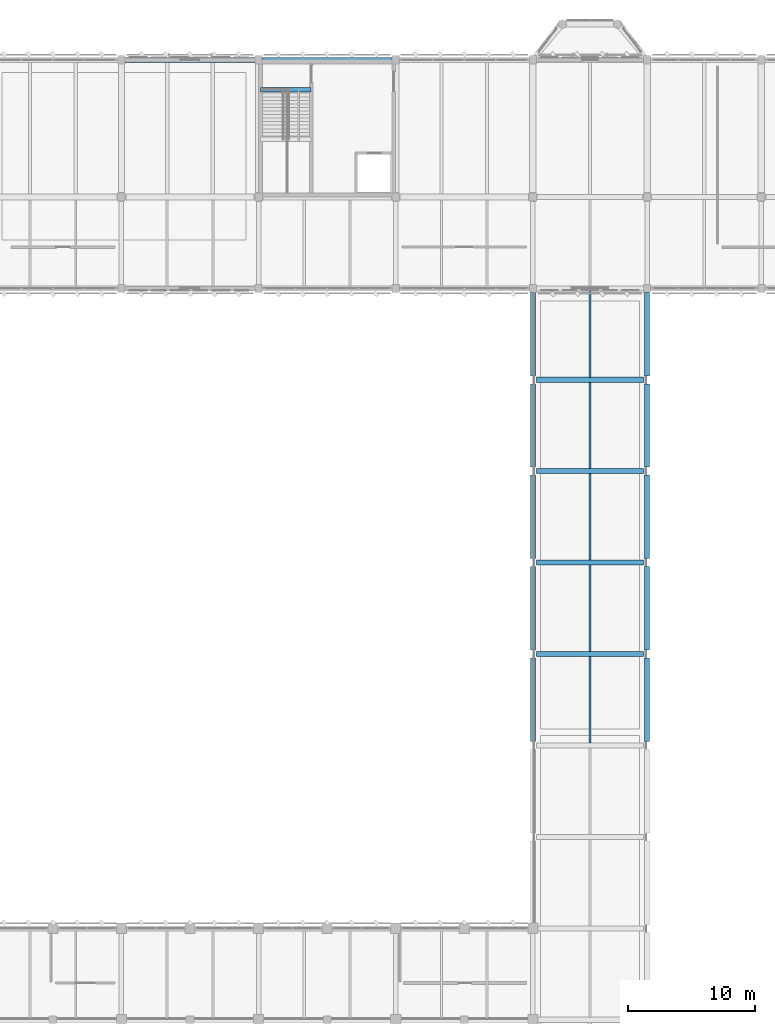
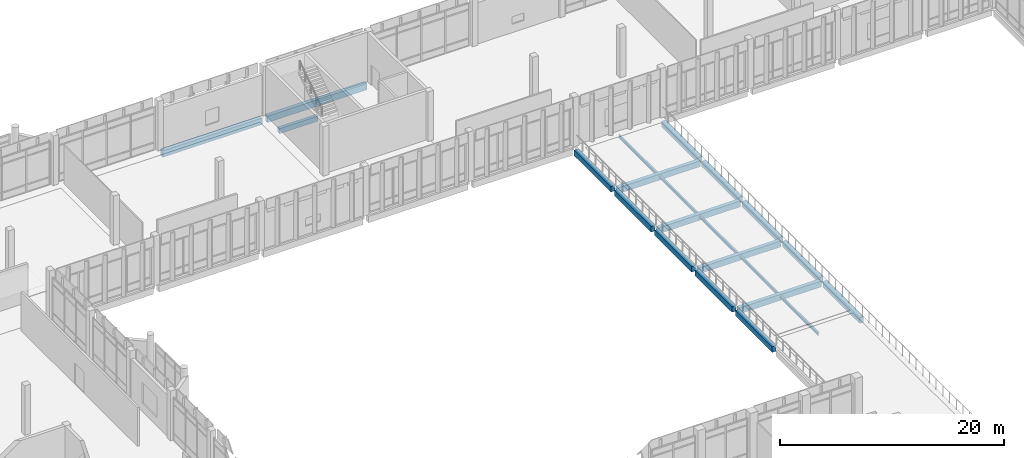
# One storey, part 77 of 180: 22 beams.
"""IFC4 building model written with IfcOpenShell, lengths in metres."""

from ifc_helpers import new_model, si_unit, direction, frame, origin, origin_2d, place, context, subcontext, project, spatial, rectangle, i_section, extrude, material, material_profile, profile_set, type_object, element, save


model = new_model("IFC4")

# Units and contexts
model_context = context("Model", 3, precision=1e-05, world=origin(), true_north=direction((0.0, 1.0)))
body_context = subcontext(model_context, "Body", "Model", "MODEL_VIEW")
ifc_project = project(units=[si_unit("LENGTHUNIT", "METRE"), si_unit("AREAUNIT", "SQUARE_METRE"), si_unit("VOLUMEUNIT", "CUBIC_METRE"), si_unit("PLANEANGLEUNIT", "RADIAN"), si_unit("MASSUNIT", "GRAM", prefix="KILO")], contexts=[model_context])

# Site, building, storey
site_placement = place(None, origin())
site = spatial("IfcSite", under=ifc_project, at=site_placement, CompositionType="ELEMENT")
building_placement = place(site_placement, origin())
building = spatial("IfcBuilding", under=site, at=building_placement, Name="Lusvemor Sports Hall", CompositionType="ELEMENT")
storey_placement = place(building_placement, frame((0.0, 0.0, 5.39990234375)))
storey = spatial("IfcBuildingStorey", under=building, at=storey_placement, Name="L01", CompositionType="ELEMENT", Elevation=5.39990234375)

# Beams
ifc_material_1 = material(Name="Concrete C40/50", Category="concrete")
ifc_material_profile_1 = material_profile(ifc_material_1, rectangle(XDim=0.35009765625, YDim=0.550048828125, at=origin_2d()), Name="RC350x550")
ifc_profile_set_1 = profile_set([ifc_material_profile_1], Name="Concrete C40/50")
beam_type_1 = type_object("IfcBeamType", Name="BEAM_RC_550", PredefinedType="BEAM", material=ifc_profile_set_1)
beam_placement = place(storey_placement, frame((54.159912109375, 112.85009765625, -0.454833984375), z_axis=(1.0, 0.0, 0.0), x_axis=(0.0, 1.0, 0.0)))
element("IfcBeam", 1, at=beam_placement, inside=storey, type_object=beam_type_1, Name="Stair STR-C2-L00 Top-Landing Beam", PredefinedType="BEAM", context=body_context, shape_type="SweptSolid", body=[
    extrude(rectangle(XDim=0.35009765625, YDim=0.550048828125, at=origin_2d()), origin(), (0.0, 0.0, 1.0), 3.97998046875),
])
ifc_material_2 = material(Name="Concrete C40/50", Category="concrete")
ifc_material_profile_2 = material_profile(ifc_material_2, rectangle(XDim=0.39990234375, YDim=0.64990234375, at=origin_2d()), Name="RC400x650")
ifc_profile_set_2 = profile_set([ifc_material_profile_2], Name="Concrete C40/50")
beam_type_2 = type_object("IfcBeamType", Name="BEAM_RC_650", PredefinedType="BEAM", material=ifc_profile_set_2)
for number, where, z_axis, x_axis, name in (
    (2, (75.8759765625, 68.39990234375, -0.664794921875), (1.0, 0.0, 0.0), (0.0, 1.0, 0.0), "Beam L01 J:8-9"),
    (3, (75.8759765625, 75.60009765625, -0.664794921875), (1.0, 0.0, 0.0), (0.0, 1.0, 0.0), "Beam L01 K:8-9"),
    (4, (75.8759765625, 82.800048828125, -0.664794921875), (1.0, 0.0, 0.0), (0.0, 1.0, 0.0), "Beam L01 L:8-9"),
    (5, (75.8759765625, 90.0, -0.664794921875), (1.0, 0.0, 0.0), (0.0, 1.0, 0.0), "Beam L01 M:8-9"),
):
    element("IfcBeam", number, at=place(storey_placement, frame(where, z_axis=z_axis, x_axis=x_axis)), inside=storey, type_object=beam_type_2, Name=name, PredefinedType="BEAM", context=body_context, shape_type="SweptSolid", body=[
        extrude(rectangle(XDim=0.39990234375, YDim=0.64990234375, at=origin_2d()), origin(), (0.0, 0.0, 1.0), 8.447998046875),
    ])
ifc_material_3 = material(Name="Steel S355", Category="steel")
ifc_material_profile_3 = material_profile(ifc_material_3, i_section(OverallWidth=0.1669921875, OverallDepth=0.31689453125, WebThickness=0.007568359375, FlangeThickness=0.01318359375, FilletRadius=0.014892578125, at=origin_2d()), Name="W310x52.0")
ifc_profile_set_3 = profile_set([ifc_material_profile_3], Name="Steel S355")
beam_type_3 = type_object("IfcBeamType", Name="JOIST_ST_310M", PredefinedType="JOIST", material=ifc_profile_set_3)
for number, where, z_axis, x_axis, name in (
    (6, (80.10009765625, 61.39599609375, -0.50244140625), (0.0, 1.0, 0.0), (-1.0, 0.0, 0.0), "Secondary Joist L01 8-9/H-J #1"),
    (7, (80.10009765625, 68.595947265625, -0.50244140625), (0.0, 1.0, 0.0), (-1.0, 0.0, 0.0), "Secondary Joist L01 8-9/J-K #1"),
    (8, (80.10009765625, 75.7958984375, -0.50244140625), (0.0, 1.0, 0.0), (-1.0, 0.0, 0.0), "Secondary Joist L01 8-9/K-L #1"),
):
    element("IfcBeam", number, at=place(storey_placement, frame(where, z_axis=z_axis, x_axis=x_axis)), inside=storey, type_object=beam_type_3, Name=name, PredefinedType="JOIST", context=body_context, shape_type="SweptSolid", body=[
        extrude(i_section(OverallWidth=0.1669921875, OverallDepth=0.31689453125, WebThickness=0.007568359375, FlangeThickness=0.01318359375, FilletRadius=0.014892578125, at=origin_2d()), origin(), (0.0, 0.0, 1.0), 6.80810546875),
    ])
for number, where, z_axis, x_axis, name in (
    (9, (80.10009765625, 82.99609375, -0.50244140625), (0.0, 1.0, 0.0), (-1.0, 0.0, 0.0), "Secondary Joist L01 8-9/L-M #1"),
    (10, (80.10009765625, 90.196044921875, -0.50244140625), (0.0, 1.0, 0.0), (-1.0, 0.0, 0.0), "Secondary Joist L01 8-9/M-N #1"),
):
    element("IfcBeam", number, at=place(storey_placement, frame(where, z_axis=z_axis, x_axis=x_axis)), inside=storey, type_object=beam_type_3, Name=name, PredefinedType="JOIST", context=body_context, shape_type="SweptSolid", body=[
        extrude(i_section(OverallWidth=0.1669921875, OverallDepth=0.31689453125, WebThickness=0.007568359375, FlangeThickness=0.01318359375, FilletRadius=0.014892578125, at=origin_2d()), origin(), (0.0, 0.0, 1.0), 6.807861328125),
    ])
ifc_material_4 = material(Name="Concrete C40/50", Category="concrete")
ifc_material_profile_4 = material_profile(ifc_material_4, rectangle(XDim=0.39990234375, YDim=0.610107421875, at=origin_2d()), Name="RC400x610")
ifc_profile_set_4 = profile_set([ifc_material_profile_4], Name="Concrete C40/50")
beam_type_4 = type_object("IfcBeamType", Name="SPAND_EXT_650", PredefinedType="SPANDREL", material=ifc_profile_set_4)
for number, where, z_axis, x_axis, name in (
    (11, (75.60009765625, 61.51611328125, -0.64501953125), (0.0, 1.0, 0.0), (-1.0, 0.0, 0.0), "Beam L01 8:H-J"),
    (12, (75.60009765625, 68.716064453125, -0.64501953125), (0.0, 1.0, 0.0), (-1.0, 0.0, 0.0), "Beam L01 8:J-K"),
    (13, (75.60009765625, 75.916015625, -0.64501953125), (0.0, 1.0, 0.0), (-1.0, 0.0, 0.0), "Beam L01 8:K-L"),
):
    element("IfcBeam", number, at=place(storey_placement, frame(where, z_axis=z_axis, x_axis=x_axis)), inside=storey, type_object=beam_type_4, Name=name, PredefinedType="SPANDREL", context=body_context, shape_type="SweptSolid", body=[
        extrude(rectangle(XDim=0.39990234375, YDim=0.610107421875, at=origin_2d()), origin(), (0.0, 0.0, 1.0), 6.56787109375),
    ])
for number, where, z_axis, x_axis, name in (
    (14, (75.60009765625, 83.115966796875, -0.64501953125), (0.0, 1.0, 0.0), (-1.0, 0.0, 0.0), "Beam L01 8:L-M"),
    (15, (75.60009765625, 90.31591796875, -0.64501953125), (0.0, 1.0, 0.0), (-1.0, 0.0, 0.0), "Beam L01 8:M-N"),
):
    element("IfcBeam", number, at=place(storey_placement, frame(where, z_axis=z_axis, x_axis=x_axis)), inside=storey, type_object=beam_type_4, Name=name, PredefinedType="SPANDREL", context=body_context, shape_type="SweptSolid", body=[
        extrude(rectangle(XDim=0.39990234375, YDim=0.610107421875, at=origin_2d()), origin(), (0.0, 0.0, 1.0), 6.568115234375),
    ])
for number, where, z_axis, x_axis, name in (
    (16, (84.60009765625, 61.51611328125, -0.64501953125), (0.0, 1.0, 0.0), (-1.0, 0.0, 0.0), "Beam L01 9:H-J"),
    (17, (84.60009765625, 68.716064453125, -0.64501953125), (0.0, 1.0, 0.0), (-1.0, 0.0, 0.0), "Beam L01 9:J-K"),
    (18, (84.60009765625, 75.916015625, -0.64501953125), (0.0, 1.0, 0.0), (-1.0, 0.0, 0.0), "Beam L01 9:K-L"),
):
    element("IfcBeam", number, at=place(storey_placement, frame(where, z_axis=z_axis, x_axis=x_axis)), inside=storey, type_object=beam_type_4, Name=name, PredefinedType="SPANDREL", context=body_context, shape_type="SweptSolid", body=[
        extrude(rectangle(XDim=0.39990234375, YDim=0.610107421875, at=origin_2d()), origin(), (0.0, 0.0, 1.0), 6.56787109375),
    ])
for number, where, z_axis, x_axis, name in (
    (19, (84.60009765625, 83.115966796875, -0.64501953125), (0.0, 1.0, 0.0), (-1.0, 0.0, 0.0), "Beam L01 9:L-M"),
    (20, (84.60009765625, 90.31591796875, -0.64501953125), (0.0, 1.0, 0.0), (-1.0, 0.0, 0.0), "Beam L01 9:M-N"),
):
    element("IfcBeam", number, at=place(storey_placement, frame(where, z_axis=z_axis, x_axis=x_axis)), inside=storey, type_object=beam_type_4, Name=name, PredefinedType="SPANDREL", context=body_context, shape_type="SweptSolid", body=[
        extrude(rectangle(XDim=0.39990234375, YDim=0.610107421875, at=origin_2d()), origin(), (0.0, 0.0, 1.0), 6.568115234375),
    ])
ifc_material_5 = material(Name="Concrete C40/50", Category="concrete")
ifc_material_profile_5 = material_profile(ifc_material_5, rectangle(XDim=0.39990234375, YDim=0.699951171875, at=origin_2d()), Name="RC400x700")
ifc_profile_set_5 = profile_set([ifc_material_profile_5], Name="Concrete C40/50")
beam_type_5 = type_object("IfcBeamType", Name="SPAND_EXT_700", PredefinedType="SPANDREL", material=ifc_profile_set_5)
for number, where, z_axis, x_axis, name in (
    (21, (43.47607421875, 115.199951171875, -0.60986328125), (1.0, 0.0, 0.0), (0.0, 1.0, 0.0), "Beam L01 Q:5-6"),
    (22, (54.27587890625, 115.199951171875, -0.60986328125), (1.0, 0.0, 0.0), (0.0, 1.0, 0.0), "Beam L01 Q:6-7"),
):
    element("IfcBeam", number, at=place(storey_placement, frame(where, z_axis=z_axis, x_axis=x_axis)), inside=storey, type_object=beam_type_5, Name=name, PredefinedType="SPANDREL", context=body_context, shape_type="SweptSolid", body=[
        extrude(rectangle(XDim=0.39990234375, YDim=0.699951171875, at=origin_2d()), origin(), (0.0, 0.0, 1.0), 10.248046875),
    ])

save(model, "model.ifc")
